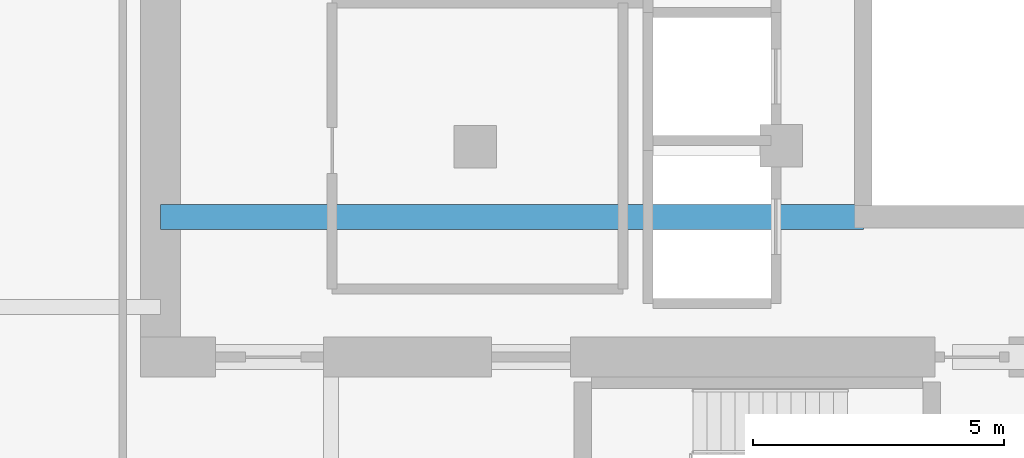
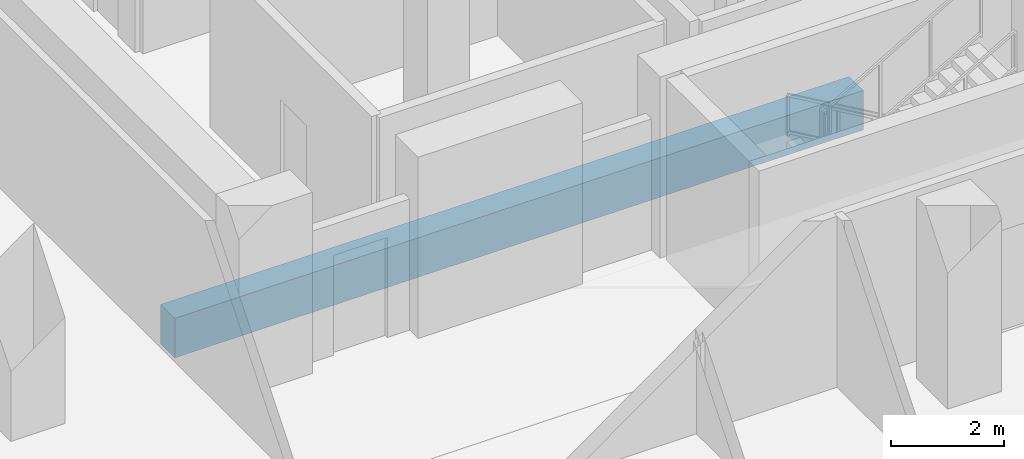
# One storey, part 7 of 27: 1 beam.
"""IFC4 building model written with IfcOpenShell, lengths in metres."""

from ifc_helpers import new_model, si_unit, direction, frame, origin, origin_2d, place, context, subcontext, project, spatial, rectangle, extrude, material, material_profile, profile_set, type_object, element, save


model = new_model("IFC4")

# Units and contexts
model_context = context("Model", 3, precision=1e-05, world=origin(), true_north=direction((0.0, 1.0)))
body_context = subcontext(model_context, "Body", "Model", "MODEL_VIEW")
ifc_project = project(units=[si_unit("LENGTHUNIT", "METRE"), si_unit("AREAUNIT", "SQUARE_METRE"), si_unit("VOLUMEUNIT", "CUBIC_METRE"), si_unit("PLANEANGLEUNIT", "RADIAN"), si_unit("MASSUNIT", "GRAM", prefix="KILO")], contexts=[model_context])

# Site, building, storey
site_placement = place(None, origin())
site = spatial("IfcSite", under=ifc_project, at=site_placement, CompositionType="ELEMENT")
building_placement = place(site_placement, origin())
building = spatial("IfcBuilding", under=site, at=building_placement, Name="Khorvyn Point Tower", CompositionType="ELEMENT")
storey_placement = place(building_placement, frame((0.0, 0.0, 227.39990234375)))
storey = spatial("IfcBuildingStorey", under=building, at=storey_placement, Name="L56", CompositionType="ELEMENT", Elevation=227.39990234375)

# Beam
ifc_material = material(Name="Concrete C45/55", Category="concrete")
ifc_material_profile = material_profile(ifc_material, rectangle(XDim=0.5, YDim=0.85009765625, at=origin_2d()))
ifc_profile_set = profile_set([ifc_material_profile], Name="Concrete C45/55 RC500x850")
beam_type = type_object("IfcBeamType", Name="Concrete C45/55 Beam RC500x850", PredefinedType="BEAM", material=ifc_profile_set)
beam_placement = place(storey_placement, frame((-10.800048828125, -5.60009765625, -0.64501953125), z_axis=(1.0, 0.0, 0.0), x_axis=(0.0, 1.0, 0.0)))
element("IfcBeam", 1, at=beam_placement, inside=storey, type_object=beam_type, Name="L56 Core Internal Tie Girder S", PredefinedType="BEAM", context=body_context, shape_type="SweptSolid", body=[
    extrude(rectangle(XDim=0.5, YDim=0.85009765625, at=origin_2d()), origin(), (0.0, 0.0, 1.0), 14.02001953125),
])

save(model, "model.ifc")
